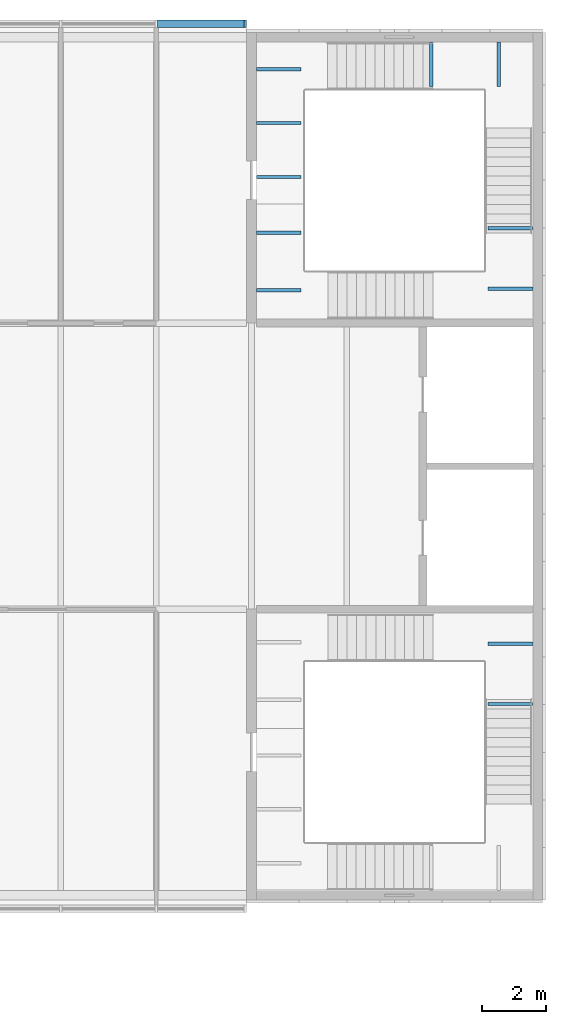
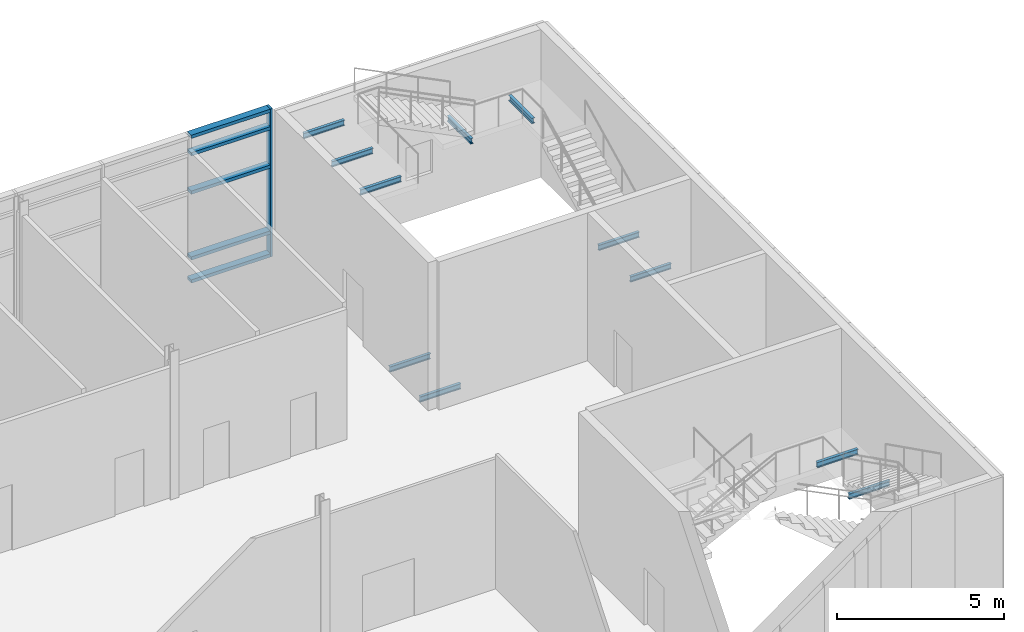
# One storey, part 27 of 53: 11 beams, 6 members, 1 element without a shape of its own.
"""IFC4 building model written with IfcOpenShell, lengths in metres."""

from ifc_helpers import new_model, si_unit, direction, frame, origin, origin_2d, place, context, subcontext, project, spatial, rectangle, i_section, extrude, material, material_profile, profile_set, type_object, element, aggregate, save


model = new_model("IFC4")

# Units and contexts
model_context = context("Model", 3, precision=1e-05, world=origin(), true_north=direction((0.0, 1.0)))
body_context = subcontext(model_context, "Body", "Model", "MODEL_VIEW")
ifc_project = project(units=[si_unit("LENGTHUNIT", "METRE"), si_unit("AREAUNIT", "SQUARE_METRE"), si_unit("VOLUMEUNIT", "CUBIC_METRE"), si_unit("PLANEANGLEUNIT", "RADIAN"), si_unit("MASSUNIT", "GRAM", prefix="KILO")], contexts=[model_context])

# Site, building, storey
site_placement = place(None, origin())
site = spatial("IfcSite", under=ifc_project, at=site_placement, CompositionType="ELEMENT")
building_placement = place(site_placement, origin())
building = spatial("IfcBuilding", under=site, at=building_placement, Name="Azimuth Sports and Learning Centre", CompositionType="ELEMENT")
storey_placement = place(building_placement, frame((0.0, 0.0, 10.800048828125)))
storey = spatial("IfcBuildingStorey", under=building, at=storey_placement, Name="L02", CompositionType="ELEMENT", Elevation=10.800048828125)

# Beams
ifc_material_1 = material(Name="Steel S355", Category="steel")
ifc_material_profile_1 = material_profile(ifc_material_1, i_section(OverallWidth=0.10009765625, OverallDepth=0.199951171875, WebThickness=0.005615234375, FlangeThickness=0.008544921875, FilletRadius=0.011962890625, at=origin_2d()), Name="IPE 200")
ifc_profile_set_1 = profile_set([ifc_material_profile_1], Name="Steel S355")
beam_type = type_object("IfcBeamType", Name="Beam IPE 200", PredefinedType="BEAM", material=ifc_profile_set_1)
for number, where, z_axis, x_axis, name in (
    (1, (170.85009765625, 96.014892578125, 1.5), (-1.0, 0.0, 0.0), (0.0, -1.0, 0.0), "Landing bracket EW1 L02 799"),
    (2, (170.85009765625, 97.9150390625, 1.5), (-1.0, 0.0, 0.0), (0.0, -1.0, 0.0), "Landing bracket EW1 L02 800"),
    (3, (162.14990234375, 109.038818359375, -0.300048828125), (1.0, 0.0, 0.0), (0.0, 1.0, 0.0), "Landing bracket EW2 L02 831"),
    (4, (162.14990234375, 110.84619140625, -0.300048828125), (1.0, 0.0, 0.0), (0.0, 1.0, 0.0), "Landing bracket EW2 L02 832"),
    (5, (170.85009765625, 109.0849609375, 1.5), (-1.0, 0.0, 0.0), (0.0, -1.0, 0.0), "Landing bracket EW2 L02 833"),
    (6, (170.85009765625, 110.985107421875, 1.5), (-1.0, 0.0, 0.0), (0.0, -1.0, 0.0), "Landing bracket EW2 L02 834"),
    (7, (167.652587890625, 116.85009765625, 3.300048828125), (0.0, -1.0, 0.0), (1.0, 0.0, 0.0), "Landing bracket EW2 L02 835"),
    (8, (169.777587890625, 116.85009765625, 3.300048828125), (0.0, -1.0, 0.0), (1.0, 0.0, 0.0), "Landing bracket EW2 L02 836"),
    (9, (162.14990234375, 112.598388671875, 5.099853515625), (1.0, 0.0, 0.0), (0.0, 1.0, 0.0), "Landing bracket EW2 L02 837"),
    (10, (162.14990234375, 114.294921875, 5.099853515625), (1.0, 0.0, 0.0), (0.0, 1.0, 0.0), "Landing bracket EW2 L02 838"),
    (11, (162.14990234375, 115.99169921875, 5.099853515625), (1.0, 0.0, 0.0), (0.0, 1.0, 0.0), "Landing bracket EW2 L02 839"),
):
    element("IfcBeam", number, at=place(storey_placement, frame(where, z_axis=z_axis, x_axis=x_axis)), inside=storey, type_object=beam_type, Name=name, PredefinedType="BEAM", context=body_context, shape_type="SweptSolid", body=[
        extrude(i_section(OverallWidth=0.10009765625, OverallDepth=0.199951171875, WebThickness=0.005615234375, FlangeThickness=0.008544921875, FilletRadius=0.011962890625, at=origin_2d()), origin(), (0.0, 0.0, 1.0), 1.41015625),
    ])

# Curtain wall, members
ifc_material_2 = material(Name="Aluminium and glass", Category="aluminium")
curtain_wall_type = type_object("IfcCurtainWallType", Name="Curtain wall podium wing 240", PredefinedType="NOTDEFINED", material=ifc_material_2)
curtain_wall_placement = place(storey_placement, origin())
curtain_wall = element("IfcCurtainWall", 12, at=curtain_wall_placement, inside=storey, type_object=curtain_wall_type, Name="Curtain wall CW02-011", PredefinedType="NOTDEFINED")
ifc_material_3 = material(Name="Aluminium", Category="aluminium")
ifc_material_profile_2 = material_profile(ifc_material_3, rectangle(XDim=0.239990234375, YDim=0.080078125, at=origin_2d()), Name="Mullion 80x240")
ifc_profile_set_2 = profile_set([ifc_material_profile_2], Name="Aluminium")
member_type_1 = type_object("IfcMemberType", Name="Mullion 80x240", PredefinedType="MULLION", material=ifc_profile_set_2)
member_1_placement = place(storey_placement, frame((161.81005859375, 117.419921875, 0.0), z_axis=(0.0, 0.0, 1.0), x_axis=(0.0, -1.0, 0.0)))
member_1 = element("IfcMember", 13, at=member_1_placement, type_object=member_type_1, Name="CW02-011 mullion 1", PredefinedType="MULLION", context=body_context, shape_type="SweptSolid", body=[
    extrude(rectangle(XDim=0.239990234375, YDim=0.080078125, at=origin_2d()), origin(), (0.0, 0.0, 1.0), 5.39990234375),
])
ifc_material_4 = material(Name="Aluminium", Category="aluminium")
ifc_material_profile_3 = material_profile(ifc_material_4, rectangle(XDim=0.239990234375, YDim=0.1201171875, at=origin_2d()), Name="Transom 120x240")
ifc_profile_set_3 = profile_set([ifc_material_profile_3], Name="Aluminium")
member_type_2 = type_object("IfcMemberType", Name="Transom 120x240", PredefinedType="USERDEFINED", material=ifc_profile_set_3)
member_2_placement = place(storey_placement, frame((161.77001953125, 117.419921875, 0.06005859375), z_axis=(-1.0, 0.0, 0.0), x_axis=(0.0, -1.0, 0.0)))
member_2 = element("IfcMember", 14, at=member_2_placement, type_object=member_type_2, Name="CW02-011 transom 1.1", ObjectType="TRANSOM", PredefinedType="USERDEFINED", context=body_context, shape_type="SweptSolid", body=[
    extrude(rectangle(XDim=0.239990234375, YDim=0.1201171875, at=origin_2d()), origin(), (0.0, 0.0, 1.0), 2.72998046875),
])
member_3_placement = place(storey_placement, frame((161.77001953125, 117.419921875, 0.89990234375), z_axis=(-1.0, 0.0, 0.0), x_axis=(0.0, -1.0, 0.0)))
member_3 = element("IfcMember", 15, at=member_3_placement, type_object=member_type_2, Name="CW02-011 transom 1.2", ObjectType="TRANSOM", PredefinedType="USERDEFINED", context=body_context, shape_type="SweptSolid", body=[
    extrude(rectangle(XDim=0.239990234375, YDim=0.1201171875, at=origin_2d()), origin(), (0.0, 0.0, 1.0), 2.72998046875),
])
member_4_placement = place(storey_placement, frame((161.77001953125, 117.419921875, 3.300048828125), z_axis=(-1.0, 0.0, 0.0), x_axis=(0.0, -1.0, 0.0)))
member_4 = element("IfcMember", 16, at=member_4_placement, type_object=member_type_2, Name="CW02-011 transom 1.3", ObjectType="TRANSOM", PredefinedType="USERDEFINED", context=body_context, shape_type="SweptSolid", body=[
    extrude(rectangle(XDim=0.239990234375, YDim=0.1201171875, at=origin_2d()), origin(), (0.0, 0.0, 1.0), 2.72998046875),
])
member_5_placement = place(storey_placement, frame((161.77001953125, 117.419921875, 4.699951171875), z_axis=(-1.0, 0.0, 0.0), x_axis=(0.0, -1.0, 0.0)))
member_5 = element("IfcMember", 17, at=member_5_placement, type_object=member_type_2, Name="CW02-011 transom 1.4", ObjectType="TRANSOM", PredefinedType="USERDEFINED", context=body_context, shape_type="SweptSolid", body=[
    extrude(rectangle(XDim=0.239990234375, YDim=0.1201171875, at=origin_2d()), origin(), (0.0, 0.0, 1.0), 2.72998046875),
])
member_6_placement = place(storey_placement, frame((161.77001953125, 117.419921875, 5.33984375), z_axis=(-1.0, 0.0, 0.0), x_axis=(0.0, -1.0, 0.0)))
member_6 = element("IfcMember", 18, at=member_6_placement, type_object=member_type_2, Name="CW02-011 transom 1.5", ObjectType="TRANSOM", PredefinedType="USERDEFINED", context=body_context, shape_type="SweptSolid", body=[
    extrude(rectangle(XDim=0.239990234375, YDim=0.1201171875, at=origin_2d()), origin(), (0.0, 0.0, 1.0), 2.72998046875),
])
aggregate(curtain_wall, [member_1, member_2, member_3, member_4, member_5, member_6])

save(model, "model.ifc")
